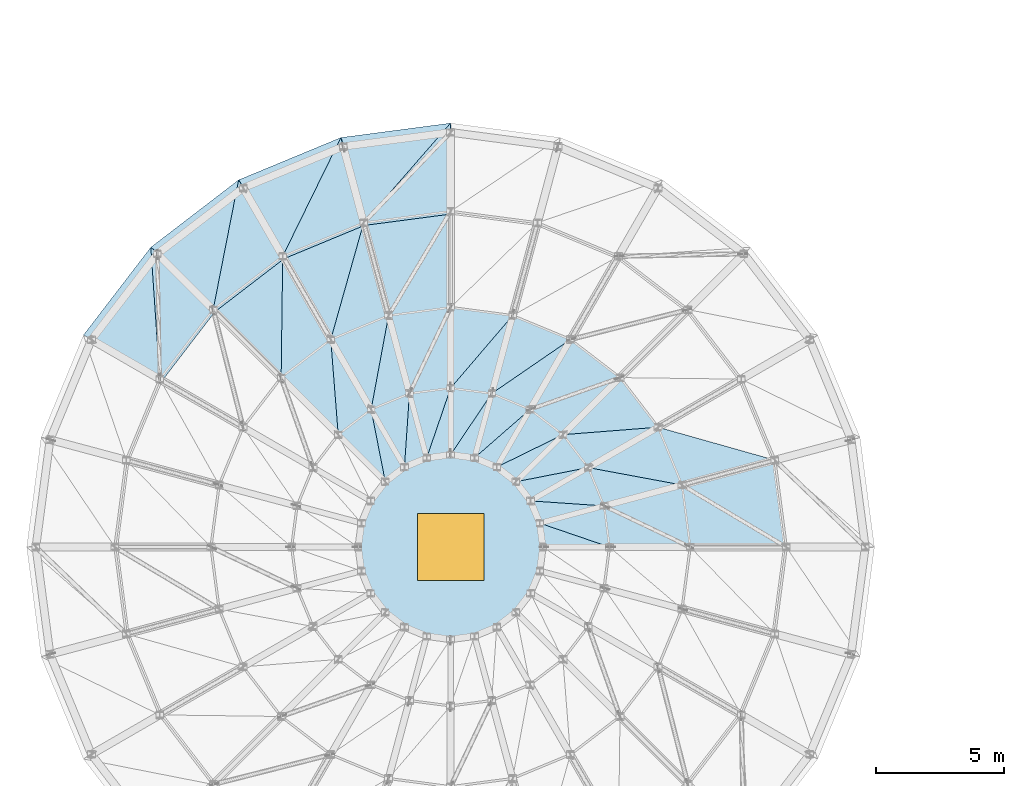
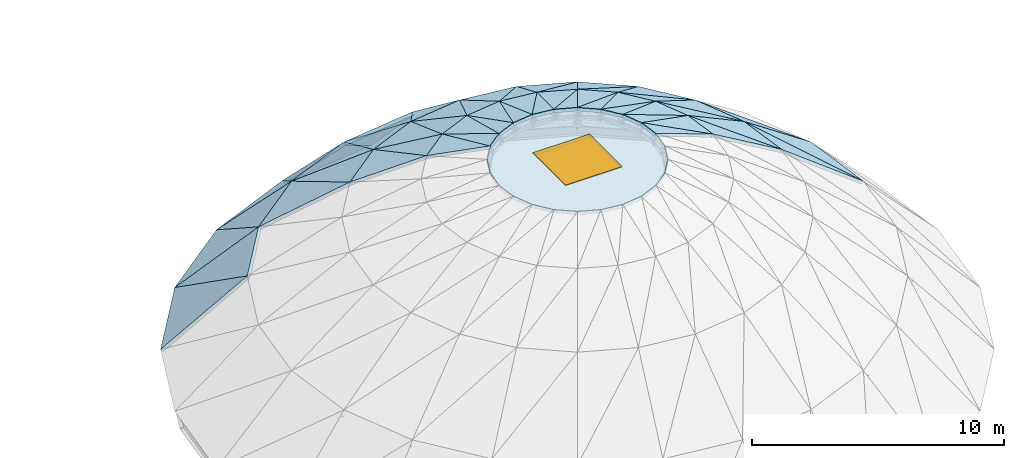
# One storey, part 12 of 19: 54 slabs, 1 window, 1 opening.
"""IFC4 building model written with IfcOpenShell, lengths in metres."""

from ifc_helpers import new_model, si_unit, direction, frame, origin, origin_2d, place, context, subcontext, project, spatial, polyline, rectangle, outline, extrude, material, layer, layer_set, type_object, element, fill, save


model = new_model("IFC4")

# Units and contexts
model_context = context("Model", 3, precision=1e-05, world=origin(), true_north=direction((0.0, 1.0)))
body_context = subcontext(model_context, "Body", "Model", "MODEL_VIEW")
ifc_project = project(units=[si_unit("LENGTHUNIT", "METRE"), si_unit("AREAUNIT", "SQUARE_METRE"), si_unit("VOLUMEUNIT", "CUBIC_METRE"), si_unit("PLANEANGLEUNIT", "RADIAN"), si_unit("MASSUNIT", "GRAM", prefix="KILO")], contexts=[model_context])

# Site, building, storey
site_placement = place(None, origin())
site = spatial("IfcSite", under=ifc_project, at=site_placement, CompositionType="ELEMENT")
building_placement = place(site_placement, origin())
building = spatial("IfcBuilding", under=site, at=building_placement, Name="Montecoro Central Library", CompositionType="ELEMENT")
storey_placement = place(building_placement, frame((0.0, 0.0, 25.5)))
storey = spatial("IfcBuildingStorey", under=building, at=storey_placement, Name="ROOF", CompositionType="ELEMENT", Elevation=25.5)

# Slabs
ifc_material_1 = material(Name="Concrete C32/40", Category="concrete")
ifc_layer_1 = layer(ifc_material_1, 0.14990234375)
ifc_layer_set_1 = layer_set([ifc_layer_1], Name="Concrete C32/40")
slab_type_1 = type_object("IfcSlabType", Name="SL-DOME-150", PredefinedType="ROOF", material=ifc_layer_set_1)
slab_1_placement = place(storey_placement, frame((91.60009765625, 51.93994140625, -7.77001953125), z_axis=(-0.094323039929, 0.715997621277, 0.691701214734), x_axis=(-0.99143407694, -0.130608081992, 0.0)))
element("IfcSlab", 1, at=slab_1_placement, inside=storey, type_object=slab_type_1, Name="V1-DOME-GORE-S1-07A", PredefinedType="ROOF", context=body_context, shape_type="SweptSolid", body=[
    extrude(outline(polyline([(0.0, 0.0), (4.317993459118372, -5.551115123125783e-17), (3.8696064867599036, 4.929574206481071), (0.0, 0.0)])), origin(), (0.0, 0.0, -1.0), 0.14990234375),
])
slab_2_placement = place(storey_placement, frame((91.60009765625, 51.93994140625, -7.77001953125), z_axis=(-0.094169926168, 0.715938847553, 0.691782907833), x_axis=(-0.541111363749, -0.620077003369, 0.568069539682)))
element("IfcSlab", 2, at=slab_2_placement, inside=storey, type_object=slab_type_1, Name="V1-DOME-GORE-S1-07B", PredefinedType="ROOF", context=body_context, shape_type="SweptSolid", body=[
    extrude(outline(polyline([(0.0, 0.0), (6.266941536314009, 6.661338147750939e-16), (4.155389405545427, 2.6907160678241917), (0.0, 0.0)])), origin(), (0.0, 0.0, -1.0), 0.14990234375),
])
slab_3_placement = place(storey_placement, frame((87.319091796875, 51.3759765625, -7.77001953125), z_axis=(-0.276280166308, 0.667180259726, 0.691765690633), x_axis=(-0.92391622199, -0.382594844115, 0.0)))
element("IfcSlab", 3, at=slab_3_placement, inside=storey, type_object=slab_type_1, Name="V1-DOME-GORE-S1-08A", PredefinedType="ROOF", context=body_context, shape_type="SweptSolid", body=[
    extrude(outline(polyline([(0.0, 0.0), (4.317505826752867, 0.0), (3.8681485279156975, 4.929995811557658), (0.0, 0.0)])), origin(), (0.0, 0.0, -1.0), 0.14990234375),
])
slab_4_placement = place(storey_placement, frame((87.319091796875, 51.3759765625, -7.77001953125), z_axis=(-0.276438883073, 0.667196923723, 0.691686206961), x_axis=(-0.362098287991, -0.73900154149, 0.568121071173)))
element("IfcSlab", 4, at=slab_4_placement, inside=storey, type_object=slab_type_1, Name="V1-DOME-GORE-S1-08B", PredefinedType="ROOF", context=body_context, shape_type="SweptSolid", body=[
    extrude(outline(polyline([(0.0, 0.0), (6.266373092626422, 4.440892098500626e-16), (4.155294720498635, 2.689847304212721), (0.0, 0.0)])), origin(), (0.0, 0.0, -1.0), 0.14990234375),
])
slab_5_placement = place(storey_placement, frame((83.330078125, 49.72412109375, -7.77001953125), z_axis=(-0.439482943839, 0.572899595995, 0.691838705901), x_axis=(-0.793432513432, -0.608658234668, 0.0)))
element("IfcSlab", 5, at=slab_5_placement, inside=storey, type_object=slab_type_1, Name="V1-DOME-GORE-S1-09A", PredefinedType="ROOF", context=body_context, shape_type="SweptSolid", body=[
    extrude(outline(polyline([(0.0, 0.0), (4.317979579392242, -2.220446049250313e-16), (3.868449382155051, 4.9304734333000315), (0.0, 0.0)])), origin(), (0.0, 0.0, -1.0), 0.14990234375),
])
slab_6_placement = place(storey_placement, frame((83.330078125, 49.72412109375, -7.77001953125), z_axis=(-0.439620443971, 0.572877813538, 0.691769380645), x_axis=(-0.158476852037, -0.807577468713, 0.56807017119)))
element("IfcSlab", 6, at=slab_6_placement, inside=storey, type_object=slab_type_1, Name="V1-DOME-GORE-S1-09B", PredefinedType="ROOF", context=body_context, shape_type="SweptSolid", body=[
    extrude(outline(polyline([(0.0, 0.0), (6.266934569530241, 0.0), (4.155563986066326, 2.690365893647709), (0.0, 0.0)])), origin(), (0.0, 0.0, -1.0), 0.14990234375),
])
slab_7_placement = place(storey_placement, frame((79.904052734375, 47.095947265625, -7.77001953125), z_axis=(-0.572946180602, 0.439518679839, 0.691777423891), x_axis=(-0.608658234668, -0.793432513432, 0.0)))
element("IfcSlab", 7, at=slab_7_placement, inside=storey, type_object=slab_type_1, Name="V1-DOME-GORE-S1-10A", PredefinedType="ROOF", context=body_context, shape_type="SweptSolid", body=[
    extrude(outline(polyline([(0.0, 0.0), (4.317979579392242, 0.0), (3.8694649987550642, 4.930072550678149), (0.0, 0.0)])), origin(), (0.0, 0.0, -1.0), 0.14990234375),
])
slab_8_placement = place(storey_placement, frame((79.904052734375, 47.095947265625, -7.77001953125), z_axis=(-0.57281900387, 0.439575314047, 0.69184675477), x_axis=(0.055978346441, -0.821093657824, 0.568041926103)))
element("IfcSlab", 8, at=slab_8_placement, inside=storey, type_object=slab_type_1, Name="V1-DOME-GORE-S1-10B", PredefinedType="ROOF", context=body_context, shape_type="SweptSolid", body=[
    extrude(outline(polyline([(0.0, 0.0), (6.2672461840541, -4.440892098500626e-16), (4.156057101791433, 2.690508323970491), (0.0, 0.0)])), origin(), (0.0, 0.0, -1.0), 0.14990234375),
])
slab_9_placement = place(storey_placement, frame((104.699951171875, 35.39990234375, -4.2099609375), z_axis=(0.603104233113, 0.079328396969, 0.793707937112), x_axis=(-0.130410197921, 0.99146012541, 0.0)))
element("IfcSlab", 9, at=slab_9_placement, inside=storey, type_object=slab_type_1, Name="V1-DOME-GORE-S2-01A", PredefinedType="ROOF", context=body_context, shape_type="SweptSolid", body=[
    extrude(outline(polyline([(0.0, 0.0), (3.420322405651347, 0.0), (2.9301173295271905, 4.684954886515122), (0.0, 0.0)])), origin(), (0.0, 0.0, -1.0), 0.14990234375),
])
slab_10_placement = place(storey_placement, frame((104.699951171875, 35.39990234375, -4.2099609375), z_axis=(0.603150243384, 0.079462747691, 0.793659533828), x_axis=(-0.736337309656, 0.437976224086, 0.515736554399)))
element("IfcSlab", 10, at=slab_10_placement, inside=storey, type_object=slab_type_1, Name="V1-DOME-GORE-S2-01B", PredefinedType="ROOF", context=body_context, shape_type="SweptSolid", body=[
    extrude(outline(polyline([(0.0, 0.0), (5.525793142479863, 0.0), (4.231038543901279, 2.069414869121684), (0.0, 0.0)])), origin(), (0.0, 0.0, -1.0), 0.14990234375),
])
slab_11_placement = place(storey_placement, frame((104.25390625, 38.791015625, -4.2099609375), z_axis=(0.561978712325, 0.232798890576, 0.793715694339), x_axis=(-0.82464411582, 0.232349499336, 0.515728409535)))
element("IfcSlab", 11, at=slab_11_placement, inside=storey, type_object=slab_type_1, Name="V1-DOME-GORE-S2-02B", PredefinedType="ROOF", context=body_context, shape_type="SweptSolid", body=[
    extrude(outline(polyline([(0.0, 0.0), (5.525880410960283, -1.1102230246251565e-16), (4.231674267651691, 2.069308144727202), (0.0, 0.0)])), origin(), (0.0, 0.0, -1.0), 0.14990234375),
])
slab_12_placement = place(storey_placement, frame((91.60009765625, 48.5, -4.2099609375), z_axis=(-0.079325143949, 0.603079501616, 0.793727054011), x_axis=(-0.99146012541, -0.130410197921, 0.0)))
element("IfcSlab", 12, at=slab_12_placement, inside=storey, type_object=slab_type_1, Name="V1-DOME-GORE-S2-07A", PredefinedType="ROOF", context=body_context, shape_type="SweptSolid", body=[
    extrude(outline(polyline([(0.0, 0.0), (3.420322405651347, 0.0), (2.9301491679544176, 4.685147010354938), (0.0, 0.0)])), origin(), (0.0, 0.0, -1.0), 0.14990234375),
])
slab_13_placement = place(storey_placement, frame((91.60009765625, 48.5, -4.2099609375), z_axis=(-0.079523207431, 0.603147326141, 0.793655695153), x_axis=(-0.437961975735, -0.736357535517, 0.51571977633)))
element("IfcSlab", 13, at=slab_13_placement, inside=storey, type_object=slab_type_1, Name="V1-DOME-GORE-S2-07B", PredefinedType="ROOF", context=body_context, shape_type="SweptSolid", body=[
    extrude(outline(polyline([(0.0, 0.0), (5.525972914799871, -4.440892098500626e-16), (4.231066575839014, 2.0693575552180667), (0.0, 0.0)])), origin(), (0.0, 0.0, -1.0), 0.14990234375),
])
slab_14_placement = place(storey_placement, frame((88.208984375, 48.053955078125, -4.2099609375), z_axis=(-0.232845259629, 0.561981871729, 0.793699855686), x_axis=(-0.923841896938, -0.382774280043, 0.0)))
element("IfcSlab", 14, at=slab_14_placement, inside=storey, type_object=slab_type_1, Name="V1-DOME-GORE-S2-08A", PredefinedType="ROOF", context=body_context, shape_type="SweptSolid", body=[
    extrude(outline(polyline([(0.0, 0.0), (3.4193464892061107, 1.1102230246251565e-16), (2.9304117365736966, 4.684873677100132), (0.0, 0.0)])), origin(), (0.0, 0.0, -1.0), 0.14990234375),
])
slab_15_placement = place(storey_placement, frame((88.208984375, 48.053955078125, -4.2099609375), z_axis=(-0.232736276322, 0.561974443949, 0.793737078655), x_axis=(-0.232349499336, -0.82464411582, 0.515728409535)))
element("IfcSlab", 15, at=slab_15_placement, inside=storey, type_object=slab_type_1, Name="V1-DOME-GORE-S2-08B", PredefinedType="ROOF", context=body_context, shape_type="SweptSolid", body=[
    extrude(outline(polyline([(0.0, 0.0), (5.525880410960283, 2.220446049250313e-16), (4.2318755967815305, 2.0693238617860352), (0.0, 0.0)])), origin(), (0.0, 0.0, -1.0), 0.14990234375),
])
slab_16_placement = place(storey_placement, frame((85.050048828125, 46.7451171875, -4.2099609375), z_axis=(-0.370322879047, 0.48257483054, 0.793714368135), x_axis=(-0.793329371506, -0.608792664465, 0.0)))
element("IfcSlab", 16, at=slab_16_placement, inside=storey, type_object=slab_type_1, Name="V1-DOME-GORE-S2-09A", PredefinedType="ROOF", context=body_context, shape_type="SweptSolid", body=[
    extrude(outline(polyline([(0.0, 0.0), (3.4199348506104013, 2.220446049250313e-16), (2.9305251219527, 4.685019514805613), (0.0, 0.0)])), origin(), (0.0, 0.0, -1.0), 0.14990234375),
])
slab_17_placement = place(storey_placement, frame((85.050048828125, 46.7451171875, -4.2099609375), z_axis=(-0.370407550194, 0.482558218012, 0.793684958273), x_axis=(-0.011044959711, -0.856691255003, 0.515711258813)))
element("IfcSlab", 17, at=slab_17_placement, inside=storey, type_object=slab_type_1, Name="V1-DOME-GORE-S2-09B", PredefinedType="ROOF", context=body_context, shape_type="SweptSolid", body=[
    extrude(outline(polyline([(0.0, 0.0), (5.52606418208342, 1.1102230246251565e-16), (4.231565598170327, 2.0690459519060553), (0.0, 0.0)])), origin(), (0.0, 0.0, -1.0), 0.14990234375),
])
slab_18_placement = place(storey_placement, frame((100.949951171875, 35.39990234375, -1.360107421875), z_axis=(0.50539066288, 0.066583295241, 0.860317931156), x_axis=(-0.130617500652, 0.991432836113, 0.0)))
element("IfcSlab", 18, at=slab_18_placement, inside=storey, type_object=slab_type_1, Name="V1-DOME-GORE-S3-01A", PredefinedType="ROOF", context=body_context, shape_type="SweptSolid", body=[
    extrude(outline(polyline([(0.0, 0.0), (2.441079140683953, 0.0), (2.030214838521526, 3.629365758299273), (0.0, 0.0)])), origin(), (0.0, 0.0, -1.0), 0.14990234375),
])
slab_19_placement = place(storey_placement, frame((100.949951171875, 35.39990234375, -1.360107421875), z_axis=(0.505335212707, 0.066414606599, 0.860363541085), x_axis=(-0.808163505322, 0.385941223593, 0.444883266259)))
element("IfcSlab", 19, at=slab_19_placement, inside=storey, type_object=slab_type_1, Name="V1-DOME-GORE-S3-01B", PredefinedType="ROOF", context=body_context, shape_type="SweptSolid", body=[
    extrude(outline(polyline([(0.0, 0.0), (4.158613723113538, -2.7755575615628914e-16), (3.368713607757163, 1.4129808002004862), (0.0, 0.0)])), origin(), (0.0, 0.0, -1.0), 0.14990234375),
])
slab_20_placement = place(storey_placement, frame((100.631103515625, 37.820068359375, -1.360107421875), z_axis=(0.470873079718, 0.195058510502, 0.860366619691), x_axis=(-0.382711055899, 0.923868089985, 0.0)))
element("IfcSlab", 20, at=slab_20_placement, inside=storey, type_object=slab_type_1, Name="V1-DOME-GORE-S3-02A", PredefinedType="ROOF", context=body_context, shape_type="SweptSolid", body=[
    extrude(outline(polyline([(0.0, 0.0), (2.4406977976005217, 1.1102230246251565e-16), (2.029696891868433, 3.6299509604383458), (0.0, 0.0)])), origin(), (0.0, 0.0, -1.0), 0.14990234375),
])
slab_21_placement = place(storey_placement, frame((100.631103515625, 37.820068359375, -1.360107421875), z_axis=(0.470886843132, 0.195305777524, 0.860302989784), x_axis=(-0.880553591991, 0.163489450246, 0.444855674674)))
element("IfcSlab", 21, at=slab_21_placement, inside=storey, type_object=slab_type_1, Name="V1-DOME-GORE-S3-02B", PredefinedType="ROOF", context=body_context, shape_type="SweptSolid", body=[
    extrude(outline(polyline([(0.0, 0.0), (4.158871655635412, -1.1102230246251565e-16), (3.3683893516885712, 1.4124653828457934), (0.0, 0.0)])), origin(), (0.0, 0.0, -1.0), 0.14990234375),
])
slab_22_placement = place(storey_placement, frame((99.697021484375, 40.074951171875, -1.360107421875), z_axis=(0.404343365285, 0.310370499936, 0.860335164758), x_axis=(-0.608893448778, 0.793252020505, 0.0)))
element("IfcSlab", 22, at=slab_22_placement, inside=storey, type_object=slab_type_1, Name="V1-DOME-GORE-S3-03A", PredefinedType="ROOF", context=body_context, shape_type="SweptSolid", body=[
    extrude(outline(polyline([(0.0, 0.0), (2.440630601883832, 2.220446049250313e-16), (2.0300547006904623, 3.6295728580031925), (0.0, 0.0)])), origin(), (0.0, 0.0, -1.0), 0.14990234375),
])
slab_23_placement = place(storey_placement, frame((99.697021484375, 40.074951171875, -1.360107421875), z_axis=(0.404367796102, 0.310253671282, 0.860365820411), x_axis=(-0.892855992703, -0.069977272885, 0.444872293557)))
element("IfcSlab", 23, at=slab_23_placement, inside=storey, type_object=slab_type_1, Name="V1-DOME-GORE-S3-03B", PredefinedType="ROOF", context=body_context, shape_type="SweptSolid", body=[
    extrude(outline(polyline([(0.0, 0.0), (4.1587162946453695, 0.0), (3.3690035376981466, 1.4125441170728907), (0.0, 0.0)])), origin(), (0.0, 0.0, -1.0), 0.14990234375),
])
slab_24_placement = place(storey_placement, frame((98.2109375, 42.010986328125, -1.360107421875), z_axis=(0.310345378641, 0.404310637855, 0.860359607416), x_axis=(-0.793252020505, 0.608893448778, 0.0)))
element("IfcSlab", 24, at=slab_24_placement, inside=storey, type_object=slab_type_1, Name="V1-DOME-GORE-S3-04A", PredefinedType="ROOF", context=body_context, shape_type="SweptSolid", body=[
    extrude(outline(polyline([(0.0, 0.0), (2.440630601883832, 0.0), (2.028885823472403, 3.629866658315534), (0.0, 0.0)])), origin(), (0.0, 0.0, -1.0), 0.14990234375),
])
slab_25_placement = place(storey_placement, frame((98.2109375, 42.010986328125, -1.360107421875), z_axis=(0.31029154718, 0.404417161491, 0.860328957574), x_axis=(-0.844311367584, -0.298658780815, 0.44490588579)))
element("IfcSlab", 25, at=slab_25_placement, inside=storey, type_object=slab_type_1, Name="V1-DOME-GORE-S3-04B", PredefinedType="ROOF", context=body_context, shape_type="SweptSolid", body=[
    extrude(outline(polyline([(0.0, 0.0), (4.158402294371971, 0.0), (3.3685718984893205, 1.41247834210025), (0.0, 0.0)])), origin(), (0.0, 0.0, -1.0), 0.14990234375),
])
slab_26_placement = place(storey_placement, frame((96.27490234375, 43.4970703125, -1.360107421875), z_axis=(0.19505031386, 0.470976391846, 0.860311927958), x_axis=(-0.92390345511, 0.382625672996, 0.0)))
element("IfcSlab", 26, at=slab_26_placement, inside=storey, type_object=slab_type_1, Name="V1-DOME-GORE-S3-05A", PredefinedType="ROOF", context=body_context, shape_type="SweptSolid", body=[
    extrude(outline(polyline([(0.0, 0.0), (2.440604372706658, 0.0), (2.029587245660974, 3.629293625951009), (0.0, 0.0)])), origin(), (0.0, 0.0, -1.0), 0.14990234375),
])
slab_27_placement = place(storey_placement, frame((96.27490234375, 43.4970703125, -1.360107421875), z_axis=(0.195219471671, 0.470787248933, 0.860377082518), x_axis=(-0.738250067266, -0.506981814128, 0.444922777934)))
element("IfcSlab", 27, at=slab_27_placement, inside=storey, type_object=slab_type_1, Name="V1-DOME-GORE-S3-05B", PredefinedType="ROOF", context=body_context, shape_type="SweptSolid", body=[
    extrude(outline(polyline([(0.0, 0.0), (4.158244414547841, 5.551115123125783e-17), (3.3689186489713965, 1.412746564785277), (0.0, 0.0)])), origin(), (0.0, 0.0, -1.0), 0.14990234375),
])
slab_28_placement = place(storey_placement, frame((94.02001953125, 44.430908203125, -1.360107421875), z_axis=(0.066632717647, 0.505327847984, 0.860351002202), x_axis=(-0.991418170702, 0.13072876807, 0.0)))
element("IfcSlab", 28, at=slab_28_placement, inside=storey, type_object=slab_type_1, Name="V1-DOME-GORE-S3-06A", PredefinedType="ROOF", context=body_context, shape_type="SweptSolid", body=[
    extrude(outline(polyline([(0.0, 0.0), (2.440868996061942, 5.551115123125783e-17), (2.0290861431232603, 3.629763214708249), (0.0, 0.0)])), origin(), (0.0, 0.0, -1.0), 0.14990234375),
])
slab_29_placement = place(storey_placement, frame((94.02001953125, 44.430908203125, -1.360107421875), z_axis=(0.066501778263, 0.5054135148, 0.860310811594), x_axis=(-0.581934447524, -0.680743535013, 0.444905089118)))
element("IfcSlab", 29, at=slab_29_placement, inside=storey, type_object=slab_type_1, Name="V1-DOME-GORE-S3-06B", PredefinedType="ROOF", context=body_context, shape_type="SweptSolid", body=[
    extrude(outline(polyline([(0.0, 0.0), (4.158409740641728, 2.7755575615628914e-16), (3.368176854841217, 1.412831191829171), (0.0, 0.0)])), origin(), (0.0, 0.0, -1.0), 0.14990234375),
])
slab_30_placement = place(storey_placement, frame((91.60009765625, 44.75, -1.360107421875), z_axis=(-0.066632763831, 0.505379179692, 0.860320846846), x_axis=(-0.991419879825, -0.130715805804, 0.0)))
element("IfcSlab", 30, at=slab_30_placement, inside=storey, type_object=slab_type_1, Name="V1-DOME-GORE-S3-07A", PredefinedType="ROOF", context=body_context, shape_type="SweptSolid", body=[
    extrude(outline(polyline([(0.0, 0.0), (2.4411110417224173, 0.0), (2.0305563448417203, 3.629400793957024), (0.0, 0.0)])), origin(), (0.0, 0.0, -1.0), 0.14990234375),
])
slab_31_placement = place(storey_placement, frame((91.60009765625, 44.75, -1.360107421875), z_axis=(-0.066491135709, 0.505332631392, 0.860359146242), x_axis=(-0.385922913239, -0.808183867746, 0.444862159496)))
element("IfcSlab", 31, at=slab_31_placement, inside=storey, type_object=slab_type_1, Name="V1-DOME-GORE-S3-07B", PredefinedType="ROOF", context=body_context, shape_type="SweptSolid", body=[
    extrude(outline(polyline([(0.0, 0.0), (4.158811031142536, 1.1102230246251565e-16), (3.368738697833126, 1.4129209809982517), (0.0, 0.0)])), origin(), (0.0, 0.0, -1.0), 0.14990234375),
])
slab_32_placement = place(storey_placement, frame((89.179931640625, 44.430908203125, -1.360107421875), z_axis=(-0.195016749228, 0.470895345325, 0.860363900493), x_axis=(-0.92390345511, -0.382625672996, 0.0)))
element("IfcSlab", 32, at=slab_32_placement, inside=storey, type_object=slab_type_1, Name="V1-DOME-GORE-S3-08A", PredefinedType="ROOF", context=body_context, shape_type="SweptSolid", body=[
    extrude(outline(polyline([(0.0, 0.0), (2.440604372706658, 1.1102230246251565e-16), (2.029314841737069, 3.629918269247212), (0.0, 0.0)])), origin(), (0.0, 0.0, -1.0), 0.14990234375),
])
slab_33_placement = place(storey_placement, frame((89.179931640625, 44.430908203125, -1.360107421875), z_axis=(-0.195237507556, 0.470907639335, 0.860307102644), x_axis=(-0.163497901658, -0.880540404657, 0.444878671011)))
element("IfcSlab", 33, at=slab_33_placement, inside=storey, type_object=slab_type_1, Name="V1-DOME-GORE-S3-08B", PredefinedType="ROOF", context=body_context, shape_type="SweptSolid", body=[
    extrude(outline(polyline([(0.0, 0.0), (4.158656678340859, -5.551115123125783e-17), (3.3683848919205497, 1.412476018270066), (0.0, 0.0)])), origin(), (0.0, 0.0, -1.0), 0.14990234375),
])
slab_34_placement = place(storey_placement, frame((86.925048828125, 43.4970703125, -1.360107421875), z_axis=(-0.310370499936, 0.404343365285, 0.860335164758), x_axis=(-0.793252020505, -0.608893448778, 0.0)))
element("IfcSlab", 34, at=slab_34_placement, inside=storey, type_object=slab_type_1, Name="V1-DOME-GORE-S3-09A", PredefinedType="ROOF", context=body_context, shape_type="SweptSolid", body=[
    extrude(outline(polyline([(0.0, 0.0), (2.440630601883832, 2.220446049250313e-16), (2.0300547006904623, 3.6295728580031925), (0.0, 0.0)])), origin(), (0.0, 0.0, -1.0), 0.14990234375),
])
slab_35_placement = place(storey_placement, frame((86.925048828125, 43.4970703125, -1.360107421875), z_axis=(-0.310253671282, 0.404367796102, 0.860365820411), x_axis=(0.069977272885, -0.892855992703, 0.444872293557)))
element("IfcSlab", 35, at=slab_35_placement, inside=storey, type_object=slab_type_1, Name="V1-DOME-GORE-S3-09B", PredefinedType="ROOF", context=body_context, shape_type="SweptSolid", body=[
    extrude(outline(polyline([(0.0, 0.0), (4.1587162946453695, 0.0), (3.3690035376981466, 1.4125441170728907), (0.0, 0.0)])), origin(), (0.0, 0.0, -1.0), 0.14990234375),
])
slab_36_placement = place(storey_placement, frame((97.800048828125, 35.39990234375, 0.489990234375), z_axis=(0.339568817197, 0.044628454222, 0.93952185683), x_axis=(-0.13030626035, 0.991473791138, 0.0)))
element("IfcSlab", 36, at=slab_36_placement, inside=storey, type_object=slab_type_1, Name="V1-DOME-GORE-S4-01A", PredefinedType="ROOF", context=body_context, shape_type="SweptSolid", body=[
    extrude(outline(polyline([(0.0, 0.0), (1.618782546846617, -2.7755575615628914e-17), (1.2790241607696784, 2.744443018044691), (0.0, 0.0)])), origin(), (0.0, 0.0, -1.0), 0.14990234375),
])
slab_37_placement = place(storey_placement, frame((97.800048828125, 35.39990234375, 0.489990234375), z_axis=(0.339628090201, 0.044833042813, 0.939490691076), x_axis=(-0.899365993768, 0.307851834697, 0.310432049131)))
element("IfcSlab", 37, at=slab_37_placement, inside=storey, type_object=slab_type_1, Name="V1-DOME-GORE-S4-01B", PredefinedType="ROOF", context=body_context, shape_type="SweptSolid", body=[
    extrude(outline(polyline([(0.0, 0.0), (3.0278491182895544, 2.7755575615628914e-17), (2.630227349312313, 0.8519986855327278), (0.0, 0.0)])), origin(), (0.0, 0.0, -1.0), 0.14990234375),
])
slab_38_placement = place(storey_placement, frame((97.589111328125, 37.0048828125, 0.489990234375), z_axis=(0.316483665313, 0.131265269414, 0.939471936056), x_axis=(-0.383115473592, 0.923700456801, 0.0)))
element("IfcSlab", 38, at=slab_38_placement, inside=storey, type_object=slab_type_1, Name="V1-DOME-GORE-S4-02A", PredefinedType="ROOF", context=body_context, shape_type="SweptSolid", body=[
    extrude(outline(polyline([(0.0, 0.0), (1.618616919036379, 0.0), (1.2801451744192764, 2.743346344469211), (0.0, 0.0)])), origin(), (0.0, 0.0, -1.0), 0.14990234375),
])
slab_39_placement = place(storey_placement, frame((97.589111328125, 37.0048828125, 0.489990234375), z_axis=(0.316475602778, 0.130863329419, 0.939530724277), x_axis=(-0.948391719702, 0.064435797963, 0.310485384426)))
element("IfcSlab", 39, at=slab_39_placement, inside=storey, type_object=slab_type_1, Name="V1-DOME-GORE-S4-02B", PredefinedType="ROOF", context=body_context, shape_type="SweptSolid", body=[
    extrude(outline(polyline([(0.0, 0.0), (3.027328993238354, 2.7755575615628914e-17), (2.6310386881311976, 0.8514920209612801), (0.0, 0.0)])), origin(), (0.0, 0.0, -1.0), 0.14990234375),
])
slab_40_placement = place(storey_placement, frame((96.968994140625, 38.5, 0.489990234375), z_axis=(0.271867908017, 0.208592319614, 0.9394557386), x_axis=(-0.608726045846, 0.793380489493, 0.0)))
element("IfcSlab", 40, at=slab_40_placement, inside=storey, type_object=slab_type_1, Name="V1-DOME-GORE-S4-03A", PredefinedType="ROOF", context=body_context, shape_type="SweptSolid", body=[
    extrude(outline(polyline([(0.0, 0.0), (1.618309958309104, 1.1102230246251565e-16), (1.278935287465655, 2.7429908091167405), (0.0, 0.0)])), origin(), (0.0, 0.0, -1.0), 0.14990234375),
])
slab_41_placement = place(storey_placement, frame((96.968994140625, 38.5, 0.489990234375), z_axis=(0.271899890947, 0.208462514558, 0.939475294687), x_axis=(-0.932761405159, -0.183035166333, 0.310570908057)))
element("IfcSlab", 41, at=slab_41_placement, inside=storey, type_object=slab_type_1, Name="V1-DOME-GORE-S4-03B", PredefinedType="ROOF", context=body_context, shape_type="SweptSolid", body=[
    extrude(outline(polyline([(0.0, 0.0), (3.0264953408891557, -8.326672684688674e-17), (2.6294971709734716, 0.8522070848445457), (0.0, 0.0)])), origin(), (0.0, 0.0, -1.0), 0.14990234375),
])
slab_42_placement = place(storey_placement, frame((95.98388671875, 39.783935546875, 0.489990234375), z_axis=(0.208568316936, 0.271836624229, 0.93947012028), x_axis=(-0.793380489493, 0.608726045846, 0.0)))
element("IfcSlab", 42, at=slab_42_placement, inside=storey, type_object=slab_type_1, Name="V1-DOME-GORE-S4-04A", PredefinedType="ROOF", context=body_context, shape_type="SweptSolid", body=[
    extrude(outline(polyline([(0.0, 0.0), (1.618309958309104, 0.0), (1.2795152717489247, 2.7433064808685375), (0.0, 0.0)])), origin(), (0.0, 0.0, -1.0), 0.14990234375),
])
slab_43_placement = place(storey_placement, frame((95.98388671875, 39.783935546875, 0.489990234375), z_axis=(0.208503812296, 0.271953756029, 0.939450538794), x_axis=(-0.853637827777, -0.418188977421, 0.310516405607)))
element("IfcSlab", 43, at=slab_43_placement, inside=storey, type_object=slab_type_1, Name="V1-DOME-GORE-S4-04B", PredefinedType="ROOF", context=body_context, shape_type="SweptSolid", body=[
    extrude(outline(polyline([(0.0, 0.0), (3.027026557302404, -5.551115123125783e-17), (2.6293457888478584, 0.8518887654952627), (0.0, 0.0)])), origin(), (0.0, 0.0, -1.0), 0.14990234375),
])
slab_44_placement = place(storey_placement, frame((94.699951171875, 40.76904296875, 0.489990234375), z_axis=(0.13119877299, 0.316396253257, 0.939510666725), x_axis=(-0.92373169835, 0.383040140799, 0.0)))
element("IfcSlab", 44, at=slab_44_placement, inside=storey, type_object=slab_type_1, Name="V1-DOME-GORE-S4-05A", PredefinedType="ROOF", context=body_context, shape_type="SweptSolid", body=[
    extrude(outline(polyline([(0.0, 0.0), (1.6182978775600747, 0.0), (1.2778750952535698, 2.7441970712600745), (0.0, 0.0)])), origin(), (0.0, 0.0, -1.0), 0.14990234375),
])
slab_45_placement = place(storey_placement, frame((94.699951171875, 40.76904296875, 0.489990234375), z_axis=(0.130941326415, 0.316664228167, 0.939456297885), x_axis=(-0.716177008782, -0.625041871403, 0.3105046716)))
element("IfcSlab", 45, at=slab_45_placement, inside=storey, type_object=slab_type_1, Name="V1-DOME-GORE-S4-05B", PredefinedType="ROOF", context=body_context, shape_type="SweptSolid", body=[
    extrude(outline(polyline([(0.0, 0.0), (3.0271409489783743, 2.7755575615628914e-17), (2.62987588177704, 0.8510376807545993), (0.0, 0.0)])), origin(), (0.0, 0.0, -1.0), 0.14990234375),
])
slab_46_placement = place(storey_placement, frame((93.205078125, 41.388916015625, 0.489990234375), z_axis=(0.044688196917, 0.339630296571, 0.93949679441), x_axis=(-0.991454295543, 0.130454512571, 0.0)))
element("IfcSlab", 46, at=slab_46_placement, inside=storey, type_object=slab_type_1, Name="V1-DOME-GORE-S4-06A", PredefinedType="ROOF", context=body_context, shape_type="SweptSolid", body=[
    extrude(outline(polyline([(0.0, 0.0), (1.6188143779958333, 0.0), (1.279619905611733, 2.743892268133725), (0.0, 0.0)])), origin(), (0.0, 0.0, -1.0), 0.14990234375),
])
slab_47_placement = place(storey_placement, frame((93.205078125, 41.388916015625, 0.489990234375), z_axis=(0.04483348133, 0.339542456821, 0.939521622406), x_axis=(-0.530116125842, -0.789045678638, 0.310457420823)))
element("IfcSlab", 47, at=slab_47_placement, inside=storey, type_object=slab_type_1, Name="V1-DOME-GORE-S4-06B", PredefinedType="ROOF", context=body_context, shape_type="SweptSolid", body=[
    extrude(outline(polyline([(0.0, 0.0), (3.02760167161432, 5.551115123125783e-17), (2.630684134918372, 0.8520599855141937), (0.0, 0.0)])), origin(), (0.0, 0.0, -1.0), 0.14990234375),
])
slab_48_placement = place(storey_placement, frame((91.60009765625, 41.60009765625, 0.489990234375), z_axis=(-0.044682154828, 0.339584376696, 0.939513680658), x_axis=(-0.991454295543, -0.130454512571, 0.0)))
element("IfcSlab", 48, at=slab_48_placement, inside=storey, type_object=slab_type_1, Name="V1-DOME-GORE-S4-07A", PredefinedType="ROOF", context=body_context, shape_type="SweptSolid", body=[
    extrude(outline(polyline([(0.0, 0.0), (1.6188143779958333, 0.0), (1.2794097005865934, 2.7442633075511824), (0.0, 0.0)])), origin(), (0.0, 0.0, -1.0), 0.14990234375),
])
slab_49_placement = place(storey_placement, frame((91.60009765625, 41.60009765625, 0.489990234375), z_axis=(-0.044833042813, 0.339628090201, 0.939490691076), x_axis=(-0.307851834697, -0.899365993768, 0.310432049131)))
element("IfcSlab", 49, at=slab_49_placement, inside=storey, type_object=slab_type_1, Name="V1-DOME-GORE-S4-07B", PredefinedType="ROOF", context=body_context, shape_type="SweptSolid", body=[
    extrude(outline(polyline([(0.0, 0.0), (3.0278491182895544, 2.7755575615628914e-17), (2.630227349312313, 0.8519986855327278), (0.0, 0.0)])), origin(), (0.0, 0.0, -1.0), 0.14990234375),
])
slab_50_placement = place(storey_placement, frame((89.9951171875, 41.388916015625, 0.489990234375), z_axis=(-0.131223292104, 0.316507066108, 0.939469916875), x_axis=(-0.923753828247, -0.382986768439, 0.0)))
element("IfcSlab", 50, at=slab_50_placement, inside=storey, type_object=slab_type_1, Name="V1-DOME-GORE-S4-08A", PredefinedType="ROOF", context=body_context, shape_type="SweptSolid", body=[
    extrude(outline(polyline([(0.0, 0.0), (1.6185234006958338, 0.0), (1.2796925583106928, 2.7433020154305483), (0.0, 0.0)])), origin(), (0.0, 0.0, -1.0), 0.14990234375),
])
slab_51_placement = place(storey_placement, frame((89.9951171875, 41.388916015625, 0.489990234375), z_axis=(-0.130873436826, 0.316500046202, 0.939521082407), x_axis=(-0.064440726599, -0.948383609607, 0.310509133173)))
element("IfcSlab", 51, at=slab_51_placement, inside=storey, type_object=slab_type_1, Name="V1-DOME-GORE-S4-08B", PredefinedType="ROOF", context=body_context, shape_type="SweptSolid", body=[
    extrude(outline(polyline([(0.0, 0.0), (3.027097453281125, -2.7755575615628914e-17), (2.6308057811177243, 0.8514913847224667), (0.0, 0.0)])), origin(), (0.0, 0.0, -1.0), 0.14990234375),
])
slab_52_placement = place(storey_placement, frame((88.5, 40.76904296875, 0.489990234375), z_axis=(-0.208592319614, 0.271867908017, 0.9394557386), x_axis=(-0.793380489493, -0.608726045846, 0.0)))
element("IfcSlab", 52, at=slab_52_placement, inside=storey, type_object=slab_type_1, Name="V1-DOME-GORE-S4-09A", PredefinedType="ROOF", context=body_context, shape_type="SweptSolid", body=[
    extrude(outline(polyline([(0.0, 0.0), (1.618309958309104, 1.1102230246251565e-16), (1.278935287465655, 2.7429908091167405), (0.0, 0.0)])), origin(), (0.0, 0.0, -1.0), 0.14990234375),
])
slab_53_placement = place(storey_placement, frame((88.5, 40.76904296875, 0.489990234375), z_axis=(-0.208462514558, 0.271899890947, 0.939475294687), x_axis=(0.183035166333, -0.932761405159, 0.310570908057)))
element("IfcSlab", 53, at=slab_53_placement, inside=storey, type_object=slab_type_1, Name="V1-DOME-GORE-S4-09B", PredefinedType="ROOF", context=body_context, shape_type="SweptSolid", body=[
    extrude(outline(polyline([(0.0, 0.0), (3.0264953408891557, -8.326672684688674e-17), (2.6294971709734716, 0.8522070848445457), (0.0, 0.0)])), origin(), (0.0, 0.0, -1.0), 0.14990234375),
])

# Slab, opening, window
ifc_layer_2 = layer(ifc_material_1, 0.172119140625)
ifc_layer_set_2 = layer_set([ifc_layer_2], Name="Concrete C32/40")
slab_type_2 = type_object("IfcSlabType", Name="SL-ROOF-172", PredefinedType="ROOF", material=ifc_layer_set_2)
slab_54_placement = place(storey_placement, frame((0.0, 0.0, 1.25)))
slab_54 = element("IfcSlab", 54, at=slab_54_placement, inside=storey, type_object=slab_type_2, Name="V1-ROOF-OCULUS", PredefinedType="ROOF", context=body_context, shape_type="SweptSolid", body=[
    extrude(outline(polyline([(95.179931640625, 35.39990234375), (95.05810546875, 36.326904296875), (94.699951171875, 37.18994140625), (94.131103515625, 37.930908203125), (93.389892578125, 38.5), (92.527099609375, 38.85791015625), (91.60009765625, 38.97998046875), (90.673095703125, 38.85791015625), (89.81005859375, 38.5), (89.069091796875, 37.930908203125), (88.5, 37.18994140625), (88.14208984375, 36.326904296875), (88.02001953125, 35.39990234375), (88.14208984375, 34.472900390625), (88.5, 33.610107421875), (89.069091796875, 32.868896484375), (89.81005859375, 32.300048828125), (90.673095703125, 31.94189453125), (91.60009765625, 31.820068359375), (92.527099609375, 31.94189453125), (93.389892578125, 32.300048828125), (94.131103515625, 32.868896484375), (94.699951171875, 33.610107421875), (95.05810546875, 34.472900390625), (95.179931640625, 35.39990234375)])), origin(), (0.0, 0.0, 1.0), 0.172119140625),
])
opening_placement = place(slab_54_placement, frame((91.60009765625, 35.39990234375, 0.0)))
opening = element("IfcOpeningElement", 55, at=opening_placement, cuts=slab_54, Name="Opening SK-02", PredefinedType="OPENING", context=body_context, shape_type="SweptSolid", body=[
    extrude(rectangle(XDim=2.60009765625, YDim=2.60009765625, at=origin_2d()), frame((0.0, 0.0, -0.010009765625)), (0.0, 0.0, 1.0), 0.192138671875),
])
ifc_material_2 = material(Name="Solar-control laminated skylight glazing", Category="glass")
window_type = type_object("IfcWindowType", Name="SK-OCU-260", PartitioningType="SINGLE_PANEL", PredefinedType="SKYLIGHT", material=ifc_material_2)
window_placement = place(opening_placement, frame((0.0, 0.0, 0.1220703125)))
window = element("IfcWindow", 56, at=window_placement, inside=storey, type_object=window_type, Name="V1-ROOF-SK-OCU", OverallHeight=2.60009765625, OverallWidth=2.60009765625, PartitioningType="SINGLE_PANEL", PredefinedType="SKYLIGHT", context=body_context, shape_type="SweptSolid", body=[
    extrude(rectangle(XDim=2.60009765625, YDim=2.60009765625, at=origin_2d()), origin(), (0.0, 0.0, 1.0), 0.050048828125),
])
fill(opening, window)

save(model, "model.ifc")
